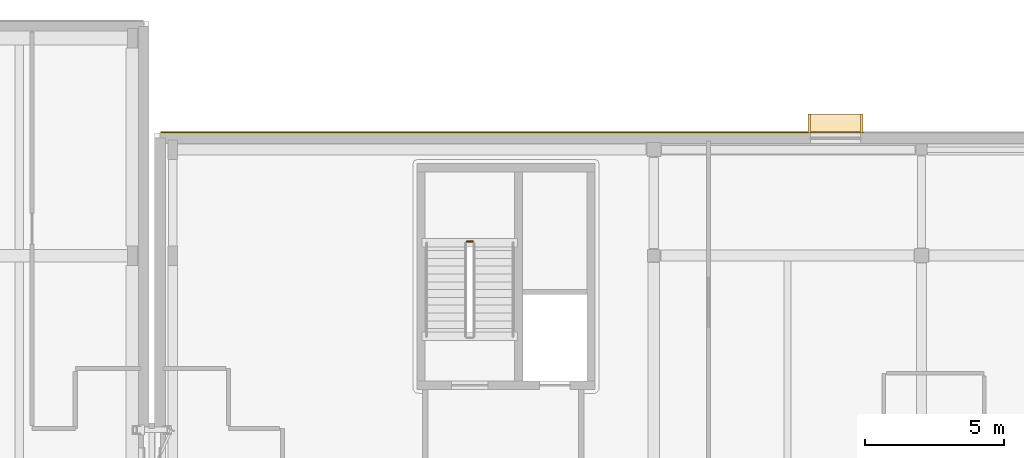
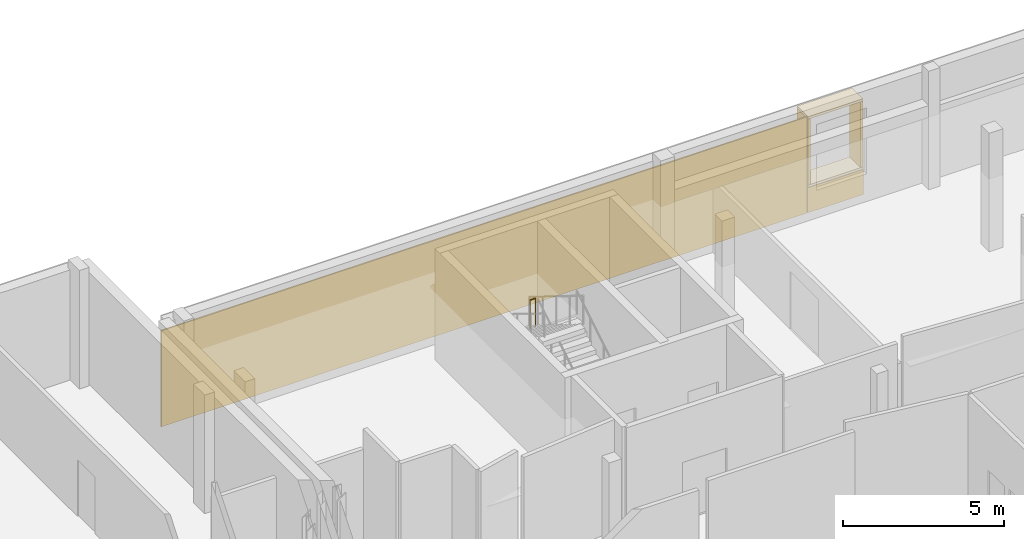
# One storey, part 36 of 41: 6 coverings, 1 railing.
"""IFC4 building model written with IfcOpenShell, lengths in metres."""

from ifc_helpers import new_model, si_unit, direction, frame, origin, origin_2d, place, context, subcontext, project, spatial, rectangle, circle, extrude, material, layer, layer_set, type_object, element, save


model = new_model("IFC4")

# Units and contexts
model_context = context("Model", 3, precision=1e-05, world=origin(), true_north=direction((0.0, 1.0)))
body_context = subcontext(model_context, "Body", "Model", "MODEL_VIEW")
ifc_project = project(units=[si_unit("LENGTHUNIT", "METRE"), si_unit("AREAUNIT", "SQUARE_METRE"), si_unit("VOLUMEUNIT", "CUBIC_METRE"), si_unit("PLANEANGLEUNIT", "RADIAN"), si_unit("MASSUNIT", "GRAM", prefix="KILO")], contexts=[model_context])

# Site, building, storey
site_placement = place(None, origin())
site = spatial("IfcSite", under=ifc_project, at=site_placement, CompositionType="ELEMENT")
building_placement = place(site_placement, origin())
building = spatial("IfcBuilding", under=site, at=building_placement, Name="Mzevani Central Library", CompositionType="ELEMENT")
storey_placement = place(building_placement, frame((0.0, 0.0, 13.800048828125)))
storey = spatial("IfcBuildingStorey", under=building, at=storey_placement, Name="L03", CompositionType="ELEMENT", Elevation=13.800048828125)

# Railing
ifc_material_1 = material(Name="Brushed stainless steel rail", Category="steel")
railing_type = type_object("IfcRailingType", Name="Interior Gallery and Stair Guard 1100", PredefinedType="BALUSTRADE", material=ifc_material_1)
railing_placement = place(storey_placement, frame((57.5, 110.110107421875, 2.25)))
element("IfcRailing", 1, at=railing_placement, inside=storey, type_object=railing_type, Name="L03 ST-05 stair guard 2", PredefinedType="BALUSTRADE", context=body_context, shape_type="SweptSolid", body=[
    extrude(circle(Radius=0.02392578125, at=origin_2d()), frame((0.0, 0.0, 1.076171875), z_axis=(-1.0, 0.0, 0.0), x_axis=(0.0, -1.0, 0.0)), (0.0, 0.0, 1.0), 0.199951171875),
    extrude(circle(Radius=0.02099609375, at=origin_2d()), origin(), (0.0, 0.0, 1.0), 1.052001953125),
    extrude(circle(Radius=0.02099609375, at=origin_2d()), frame((-0.199951171875, 0.0, 0.0)), (0.0, 0.0, 1.0), 1.052001953125),
])

# Coverings
ifc_material_2 = material(Name="Limestone ashlar cladding", Category="masonry")
ifc_layer = layer(ifc_material_2, 0.050048828125, Name="Limestone Ashlar Spandrel Cladding")
ifc_layer_set = layer_set([ifc_layer], Name="Limestone ashlar cladding")
covering_type = type_object("IfcCoveringType", Name="Limestone Ashlar Spandrel Cladding", PredefinedType="CLADDING", material=ifc_layer_set)
for number, where, z_axis, x_axis, name in (
    (2, (70.518798828125, 114.337890625, 3.5498046875), (0.0, 0.0, 1.0), (1.0, 0.0, 0.0), "L03 Deep Window Reveal HD (REV4-0128)"),
    (3, (70.518798828125, 114.337890625, 0.9599609375), (0.0, 0.0, 1.0), (1.0, 0.0, 0.0), "L03 Deep Window Reveal SL (REV4-0128)"),
):
    element("IfcCovering", number, at=place(storey_placement, frame(where, z_axis=z_axis, x_axis=x_axis)), inside=storey, type_object=covering_type, Name=name, PredefinedType="CLADDING", context=body_context, shape_type="SweptSolid", body=[
        extrude(rectangle(XDim=1.97998046875, YDim=0.679931640625, at=origin_2d()), origin(), (0.0, 0.0, 1.0), 0.090087890625),
    ])
for number, where, z_axis, x_axis, name in (
    (4, (69.57373046875, 114.337890625, 1.050048828125), (0.0, 0.0, 1.0), (1.0, 0.0, 0.0), "L03 Deep Window Reveal JL (REV4-0128)"),
    (5, (71.4638671875, 114.337890625, 1.050048828125), (0.0, 0.0, 1.0), (1.0, 0.0, 0.0), "L03 Deep Window Reveal JR (REV4-0128)"),
):
    element("IfcCovering", number, at=place(storey_placement, frame(where, z_axis=z_axis, x_axis=x_axis)), inside=storey, type_object=covering_type, Name=name, PredefinedType="CLADDING", context=body_context, shape_type="SweptSolid", body=[
        extrude(rectangle(XDim=0.090087890625, YDim=0.679931640625, at=origin_2d()), origin(), (0.0, 0.0, 1.0), 2.5),
    ])
covering_1_placement = place(storey_placement, frame((57.904296875, 114.02392578125, 0.0), z_axis=(0.0, 0.0, 1.0), x_axis=(1.0, 0.0, 0.0)))
element("IfcCovering", 6, at=covering_1_placement, inside=storey, type_object=covering_type, Name="L03 Warm-White Facade Pier 1 (EW4-V3-L03-0064)", PredefinedType="CLADDING", context=body_context, shape_type="SweptSolid", body=[
    extrude(rectangle(XDim=23.188720703125, YDim=0.050048828125, at=origin_2d()), origin(), (0.0, 0.0, 1.0), 3.64990234375),
])
covering_2_placement = place(storey_placement, frame((70.518798828125, 114.02392578125, 0.0), z_axis=(0.0, 0.0, 1.0), x_axis=(1.0, 0.0, 0.0)))
element("IfcCovering", 7, at=covering_2_placement, inside=storey, type_object=covering_type, Name="L03 Warm-White Sill Cladding 2 (EW4-V3-L03-0064)", PredefinedType="CLADDING", context=body_context, shape_type="SweptSolid", body=[
    extrude(rectangle(XDim=2.0, YDim=0.050048828125, at=origin_2d()), origin(), (0.0, 0.0, 1.0), 0.949951171875),
])

save(model, "model.ifc")
